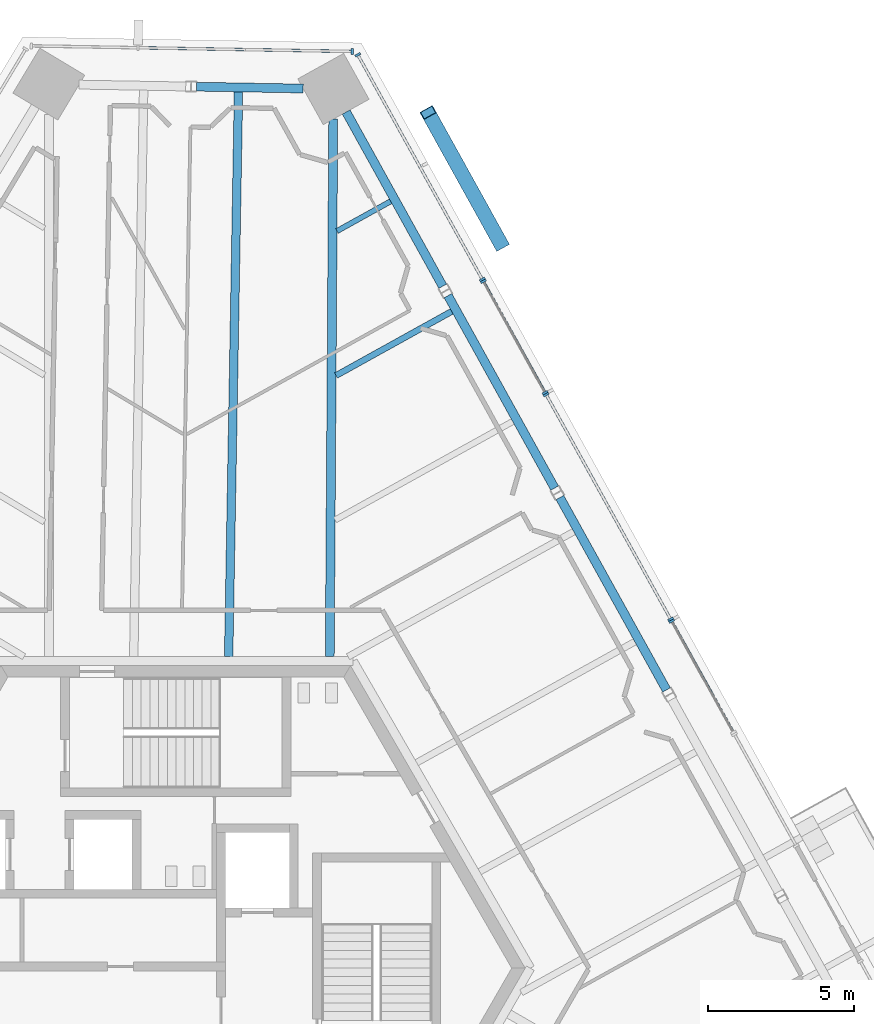
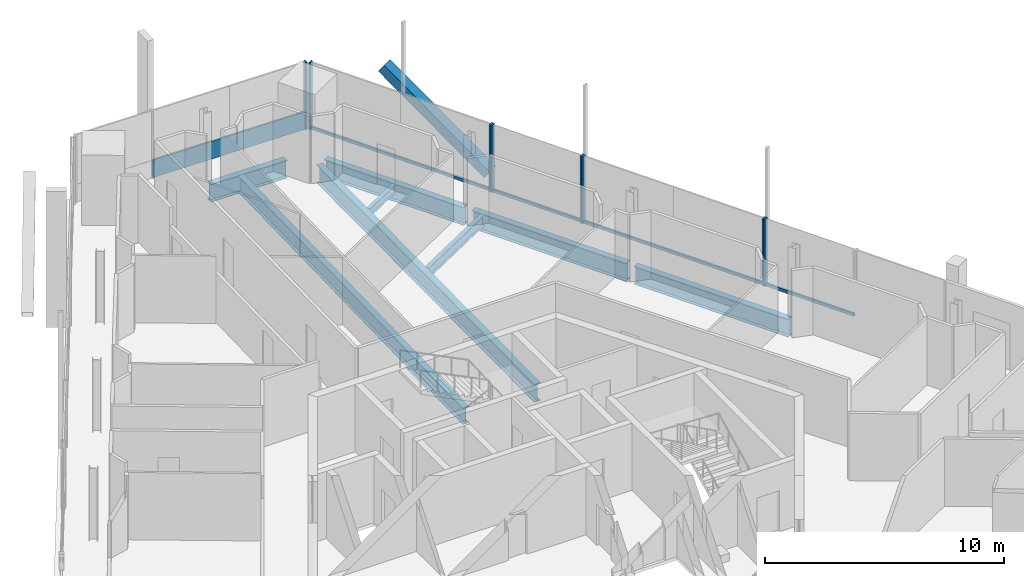
# One storey, part 9 of 22: 14 members, 8 beams, 5 elements without a shape of their own.
"""IFC4 building model written with IfcOpenShell, lengths in metres."""

from ifc_helpers import new_model, si_unit, direction, frame, origin, origin_2d, place, context, subcontext, project, spatial, rectangle, hollow_rectangle, i_section, extrude, source, transform, mapped, material, material_profile, profile_set, type_object, element, aggregate, save


model = new_model("IFC4")

# Units and contexts
model_context = context("Model", 3, precision=1e-05, world=origin(), true_north=direction((0.0, 1.0)))
body_context = subcontext(model_context, "Body", "Model", "MODEL_VIEW")
ifc_project = project(units=[si_unit("LENGTHUNIT", "METRE"), si_unit("AREAUNIT", "SQUARE_METRE"), si_unit("VOLUMEUNIT", "CUBIC_METRE"), si_unit("PLANEANGLEUNIT", "RADIAN"), si_unit("MASSUNIT", "GRAM", prefix="KILO")], contexts=[model_context])

# Site, building, storey
site_placement = place(None, origin())
site = spatial("IfcSite", under=ifc_project, at=site_placement, CompositionType="ELEMENT")
building_placement = place(site_placement, origin())
building = spatial("IfcBuilding", under=site, at=building_placement, Name="Triune Harvest Tower", CompositionType="ELEMENT")
storey_placement = place(building_placement, frame((0.0, 0.0, 208.699951171875)))
storey = spatial("IfcBuildingStorey", under=building, at=storey_placement, Name="L54", CompositionType="ELEMENT", Elevation=208.699951171875)

# Curtain wall, member
ifc_material_1 = material(Name="Aluminium bronze anodised", Category="aluminium")
curtain_wall_type_1 = type_object("IfcCurtainWallType", Name="CW-10 Balcony window wall with insulated spandrel infill", PredefinedType="NOTDEFINED", material=ifc_material_1)
curtain_wall_1_placement = place(storey_placement, origin())
curtain_wall_1 = element("IfcCurtainWall", 1, at=curtain_wall_1_placement, inside=storey, type_object=curtain_wall_type_1, Name="CW-10 B5-F1 L54 run 4002")
ifc_material_2 = material(Name="Aluminium bronze anodised", Category="aluminium")
ifc_material_profile_1 = material_profile(ifc_material_2, rectangle(XDim=0.090087890625, YDim=0.14990234375, at=origin_2d()), Name="TR-6 transom 90 x 150")
ifc_profile_set_1 = profile_set([ifc_material_profile_1], Name="Aluminium bronze anodised")
member_type_1 = type_object("IfcMemberType", Name="TR-6 transom 90 x 150", PredefinedType="USERDEFINED", material=ifc_profile_set_1)
member_1_placement = place(storey_placement, frame((10.510498046875, 23.6884765625, 0.074951171875), z_axis=(-0.484808405381, 0.874620380549, 0.0), x_axis=(-0.874620380549, -0.484808405381, 0.0)))
member_1 = element("IfcMember", 2, at=member_1_placement, type_object=member_type_1, Name="CW-10 transom B5-F1 4002.1", ObjectType="TRANSOM", PredefinedType="USERDEFINED", context=body_context, shape_type="SweptSolid", body=[
    extrude(rectangle(XDim=0.090087890625, YDim=0.14990234375, at=origin_2d()), origin(), (0.0, 0.0, 1.0), 8.74560546875),
])

# Beams
ifc_material_3 = material(Name="Steel ASTM A992 Gr 50", Category="steel")
ifc_material_profile_2 = material_profile(ifc_material_3, i_section(OverallWidth=0.3046875, OverallDepth=0.914306640625, WebThickness=0.0166015625, FlangeThickness=0.02587890625, at=origin_2d()), Name="W36x160")
ifc_profile_set_2 = profile_set([ifc_material_profile_2], Name="Steel ASTM A992 Gr 50")
beam_type_1 = type_object("IfcBeamType", Name="SB-1 Spandrel beam W36x160", PredefinedType="SPANDREL", material=ifc_profile_set_2)
shared_shape_1 = source(origin(), body_context, "Body", "SweptSolid", [
    extrude(i_section(OverallWidth=0.3046875, OverallDepth=0.914306640625, WebThickness=0.0166015625, FlangeThickness=0.02587890625, at=origin_2d()), origin(), (0.0, 0.0, 1.0), 6.841796875),
])
beam_1_placement = place(storey_placement, frame((9.16943359375, 23.421875, -0.6171875), z_axis=(-0.484833781575, 0.87460631386, 0.0), x_axis=(-0.87460631386, -0.484833781575, 0.0)))
element("IfcBeam", 3, at=beam_1_placement, inside=storey, type_object=beam_type_1, Name="beam/L54/SB6", PredefinedType="SPANDREL", context=body_context, shape_type="MappedRepresentation", body=[
    mapped(shared_shape_1, transform((0.0, 0.0, 0.0), scale=1.0)),
])
shared_shape_2 = source(origin(), body_context, "Body", "SweptSolid", [
    extrude(i_section(OverallWidth=0.3046875, OverallDepth=0.914306640625, WebThickness=0.0166015625, FlangeThickness=0.02587890625, at=origin_2d()), origin(), (0.0, 0.0, 1.0), 7.556396484375),
])
for number, where, z_axis, x_axis, name in (
    (4, (16.855712890625, 9.555419921875, -0.6171875), (-0.484806011206, 0.874621707654, 0.0), (-0.874621707654, -0.484806011206, 0.0), "beam/L54/SB4"),
    (5, (13.0126953125, 16.488525390625, -0.6171875), (-0.484830726301, 0.874608007529, 0.0), (-0.874608007529, -0.484830726301, 0.0), "beam/L54/SB5"),
):
    element("IfcBeam", number, at=place(storey_placement, frame(where, z_axis=z_axis, x_axis=x_axis)), inside=storey, type_object=beam_type_1, Name=name, PredefinedType="SPANDREL", context=body_context, shape_type="MappedRepresentation", body=[
        mapped(shared_shape_2, transform((0.0, 0.0, 0.0), scale=1.0)),
    ])
shared_shape_3 = source(origin(), body_context, "Body", "SweptSolid", [
    extrude(i_section(OverallWidth=0.3046875, OverallDepth=0.914306640625, WebThickness=0.0166015625, FlangeThickness=0.02587890625, at=origin_2d()), origin(), (0.0, 0.0, 1.0), 3.66357421875),
])
beam_2_placement = place(storey_placement, frame((4.376953125, 30.211181640625, -0.6171875), z_axis=(-0.999847573959, 0.017459348466, 0.0), x_axis=(-0.017459348466, -0.999847573959, 0.0)))
element("IfcBeam", 6, at=beam_2_placement, inside=storey, type_object=beam_type_1, Name="beam/L54/SB7", PredefinedType="SPANDREL", context=body_context, shape_type="MappedRepresentation", body=[
    mapped(shared_shape_3, transform((0.0, 0.0, 0.0), scale=1.0)),
])
ifc_material_4 = material(Name="Steel ASTM A992 Gr 50", Category="steel")
ifc_material_profile_3 = material_profile(ifc_material_4, i_section(OverallWidth=0.307373046875, OverallDepth=0.922119140625, WebThickness=0.018310546875, FlangeThickness=0.030029296875, at=origin_2d()), Name="W36x182")
ifc_profile_set_3 = profile_set([ifc_material_profile_3], Name="Steel ASTM A992 Gr 50")
beam_type_2 = type_object("IfcBeamType", Name="HG-2 Hip girder W36x182", PredefinedType="BEAM", material=ifc_profile_set_3)
shared_shape_4 = source(origin(), body_context, "Body", "SweptSolid", [
    extrude(i_section(OverallWidth=0.307373046875, OverallDepth=0.922119140625, WebThickness=0.018310546875, FlangeThickness=0.030029296875, at=origin_2d()), origin(), (0.0, 0.0, 1.0), 18.463623046875),
])
beam_3_placement = place(storey_placement, frame((5.409423828125, 29.16015625, -0.620849609375), z_axis=(-0.006518869748, -0.999978751943, 0.0), x_axis=(0.999978751943, -0.006518869748, 0.0)))
element("IfcBeam", 7, at=beam_3_placement, inside=storey, type_object=beam_type_2, Name="beam/L54/HG3", PredefinedType="BEAM", context=body_context, shape_type="MappedRepresentation", body=[
    mapped(shared_shape_4, transform((0.0, 0.0, 0.0), scale=1.0)),
])
ifc_material_5 = material(Name="Steel ASTM A992 Gr 50", Category="steel")
ifc_material_profile_4 = material_profile(ifc_material_5, i_section(OverallWidth=0.2099609375, OverallDepth=0.535888671875, WebThickness=0.010986328125, FlangeThickness=0.017333984375, at=origin_2d()), Name="W21x68")
ifc_profile_set_4 = profile_set([ifc_material_profile_4], Name="Steel ASTM A992 Gr 50")
beam_type_3 = type_object("IfcBeamType", Name="JT-2 Floor joist W21x68", PredefinedType="JOIST", material=ifc_profile_set_4)
shared_shape_5 = source(origin(), body_context, "Body", "SweptSolid", [
    extrude(i_section(OverallWidth=0.2099609375, OverallDepth=0.535888671875, WebThickness=0.010986328125, FlangeThickness=0.017333984375, at=origin_2d()), origin(), (0.0, 0.0, 1.0), 4.538818359375),
])
beam_4_placement = place(storey_placement, frame((9.475341796875, 22.555419921875, -0.427978515625), z_axis=(-0.874621193693, -0.484806938423, 0.0), x_axis=(0.484806938423, -0.874621193693, 0.0)))
element("IfcBeam", 8, at=beam_4_placement, inside=storey, type_object=beam_type_3, Name="beam/L54/JT9", PredefinedType="JOIST", context=body_context, shape_type="MappedRepresentation", body=[
    mapped(shared_shape_5, transform((0.0, 0.0, 0.0), scale=1.0)),
])
ifc_material_6 = material(Name="Steel ASTM A992 Gr 50", Category="steel")
ifc_material_profile_5 = material_profile(ifc_material_6, i_section(OverallWidth=0.180908203125, OverallDepth=0.41650390625, WebThickness=0.010986328125, FlangeThickness=0.01806640625, at=origin_2d()), Name="W16x57")
ifc_profile_set_5 = profile_set([ifc_material_profile_5], Name="Steel ASTM A992 Gr 50")
beam_type_4 = type_object("IfcBeamType", Name="JT-1 Floor joist W16x57", PredefinedType="JOIST", material=ifc_profile_set_5)
shared_shape_6 = source(origin(), body_context, "Body", "SweptSolid", [
    extrude(i_section(OverallWidth=0.180908203125, OverallDepth=0.41650390625, WebThickness=0.010986328125, FlangeThickness=0.01806640625, at=origin_2d()), origin(), (0.0, 0.0, 1.0), 2.10498046875),
])
beam_5_placement = place(storey_placement, frame((7.379150390625, 26.33740234375, -0.3681640625), z_axis=(-0.874621898411, -0.484805667067, 0.0), x_axis=(0.484805667067, -0.874621898411, 0.0)))
element("IfcBeam", 9, at=beam_5_placement, inside=storey, type_object=beam_type_4, Name="beam/L54/JT10", PredefinedType="JOIST", context=body_context, shape_type="MappedRepresentation", body=[
    mapped(shared_shape_6, transform((0.0, 0.0, 0.0), scale=1.0)),
])
ifc_material_7 = material(Name="Steel ASTM A992 Gr 50", Category="steel")
ifc_material_profile_6 = material_profile(ifc_material_7, i_section(OverallWidth=0.2919921875, OverallDepth=0.8408203125, WebThickness=0.0146484375, FlangeThickness=0.021728515625, at=origin_2d()), Name="W33x130")
ifc_profile_set_6 = profile_set([ifc_material_profile_6], Name="Steel ASTM A992 Gr 50")
beam_type_5 = type_object("IfcBeamType", Name="JT-6 Floor joist W33x130", PredefinedType="JOIST", material=ifc_profile_set_6)
shared_shape_7 = source(origin(), body_context, "Body", "SweptSolid", [
    extrude(i_section(OverallWidth=0.2919921875, OverallDepth=0.8408203125, WebThickness=0.0146484375, FlangeThickness=0.021728515625, at=origin_2d()), origin(), (0.0, 0.0, 1.0), 19.403564453125),
])
beam_6_placement = place(storey_placement, frame((2.155029296875, 30.09765625, -0.580322265625), z_axis=(-0.017451567023, -0.999847709808, 0.0), x_axis=(0.999847709808, -0.017451567023, 0.0)))
element("IfcBeam", 10, at=beam_6_placement, inside=storey, type_object=beam_type_5, Name="beam/L54/JT11", PredefinedType="JOIST", context=body_context, shape_type="MappedRepresentation", body=[
    mapped(shared_shape_7, transform((0.0, 0.0, 0.0), scale=1.0)),
])

# Member
ifc_material_8 = material(Name="Steel ASTM A572 Gr 50", Category="steel")
ifc_material_profile_7 = material_profile(ifc_material_8, hollow_rectangle(XDim=0.5, YDim=0.5, WallThickness=0.030029296875, at=origin_2d()), Name="Box 500x500x30")
ifc_profile_set_7 = profile_set([ifc_material_profile_7], Name="Steel ASTM A572 Gr 50")
member_type_2 = type_object("IfcMemberType", Name="BR-3 Brace Box 500x500x30", PredefinedType="BRACE", material=ifc_profile_set_7)
shared_shape_8 = source(origin(), body_context, "Body", "SweptSolid", [
    extrude(hollow_rectangle(XDim=0.5, YDim=0.5, WallThickness=0.030029296875, at=origin_2d()), origin(), (0.0, 0.0, 1.0), 6.302978515625),
])
member_2_placement = place(storey_placement, frame((11.17431640625, 24.863037109375, 0.0), z_axis=(-0.397957445463, 0.717903766226, 0.571177777963), x_axis=(-0.874610982048, -0.484825360395, 0.0)))
element("IfcMember", 11, at=member_2_placement, inside=storey, type_object=member_type_2, Name="brace/B5-F1/d1/9", PredefinedType="BRACE", context=body_context, shape_type="MappedRepresentation", body=[
    mapped(shared_shape_8, transform((0.0, 0.0, 0.0), scale=1.0)),
])

# Curtain wall, member
ifc_material_9 = material(Name="Aluminium bronze anodised", Category="aluminium")
curtain_wall_type_2 = type_object("IfcCurtainWallType", Name="CW-7 Tower stick curtain wall with insulated spandrel infill", PredefinedType="NOTDEFINED", material=ifc_material_9)
curtain_wall_2_placement = place(storey_placement, origin())
curtain_wall_2 = element("IfcCurtainWall", 12, at=curtain_wall_2_placement, inside=storey, type_object=curtain_wall_type_2, Name="CW-7 B5-F2 L54 run 1")
ifc_material_10 = material(Name="Aluminium bronze anodised", Category="aluminium")
ifc_material_profile_8 = material_profile(ifc_material_10, rectangle(XDim=0.199951171875, YDim=0.074951171875, at=origin_2d()), Name="MU-1 mullion 75 x 200")
ifc_profile_set_8 = profile_set([ifc_material_profile_8], Name="Aluminium bronze anodised")
member_type_3 = type_object("IfcMemberType", Name="MU-1 mullion 75 x 200", PredefinedType="MULLION", material=ifc_profile_set_8)
shared_shape_9 = source(origin(), body_context, "Body", "SweptSolid", [
    extrude(rectangle(XDim=0.199951171875, YDim=0.074951171875, at=origin_2d()), origin(), (0.0, 0.0, 1.0), 3.43994140625),
])
member_3_placement = place(storey_placement, frame((6.06298828125, 31.484130859375, 0.0), z_axis=(0.0, 0.0, 1.0), x_axis=(-0.017446318452, -0.999847801404, 0.0)))
member_3 = element("IfcMember", 13, at=member_3_placement, type_object=member_type_3, Name="CW-7 mullion B5-F2 1.1", PredefinedType="MULLION", context=body_context, shape_type="MappedRepresentation", body=[
    mapped(shared_shape_9, transform((0.0, 0.0, 0.0), scale=1.0)),
])

ifc_material_11 = material(Name="Aluminium bronze anodised", Category="aluminium")
curtain_wall_type_3 = type_object("IfcCurtainWallType", Name="CW-6 Balcony window wall", PredefinedType="NOTDEFINED", material=ifc_material_11)
curtain_wall_3_placement = place(storey_placement, origin())
curtain_wall_3 = element("IfcCurtainWall", 14, at=curtain_wall_3_placement, inside=storey, type_object=curtain_wall_type_3, Name="CW-6 B5-F1 L54 run 1002")
ifc_material_12 = material(Name="Aluminium bronze anodised", Category="aluminium")
ifc_material_profile_9 = material_profile(ifc_material_12, rectangle(XDim=0.199951171875, YDim=0.074951171875, at=origin_2d()), Name="MU-6 mullion 75 x 200")
ifc_profile_set_9 = profile_set([ifc_material_profile_9], Name="Aluminium bronze anodised")
member_type_4 = type_object("IfcMemberType", Name="MU-6 mullion 75 x 200", PredefinedType="MULLION", material=ifc_profile_set_9)
shared_shape_10 = source(origin(), body_context, "Body", "SweptSolid", [
    extrude(rectangle(XDim=0.199951171875, YDim=0.074951171875, at=origin_2d()), origin(), (0.0, 0.0, 1.0), 3.43994140625),
])
member_4_placement = place(storey_placement, frame((17.033935546875, 11.919921875, 0.0), z_axis=(0.0, 0.0, 1.0), x_axis=(-0.874611855466, -0.484823784769, 0.0)))
member_4 = element("IfcMember", 15, at=member_4_placement, type_object=member_type_4, Name="CW-6 mullion B5-F1 1002.2", PredefinedType="MULLION", context=body_context, shape_type="MappedRepresentation", body=[
    mapped(shared_shape_10, transform((0.0, 0.0, 0.0), scale=1.0)),
])

# Curtain wall, members
curtain_wall_4_placement = place(storey_placement, origin())
curtain_wall_4 = element("IfcCurtainWall", 16, at=curtain_wall_4_placement, inside=storey, type_object=curtain_wall_type_1, Name="CW-10 B5-F1 L54 run 2002")
member_5_placement = place(storey_placement, frame((16.99755859375, 11.9853515625, 0.0), z_axis=(0.0, 0.0, 1.0), x_axis=(-0.874621388938, -0.484806586189, 0.0)))
member_5 = element("IfcMember", 17, at=member_5_placement, type_object=member_type_4, Name="CW-10 mullion B5-F1 2002.1", PredefinedType="MULLION", context=body_context, shape_type="MappedRepresentation", body=[
    mapped(shared_shape_10, transform((0.0, 0.0, 0.0), scale=1.0)),
])
member_6_placement = place(storey_placement, frame((12.72119140625, 19.699951171875, 0.0), z_axis=(0.0, 0.0, 1.0), x_axis=(-0.874621388938, -0.484806586189, 0.0)))
member_6 = element("IfcMember", 18, at=member_6_placement, type_object=member_type_4, Name="CW-10 mullion B5-F1 2002.3", PredefinedType="MULLION", context=body_context, shape_type="MappedRepresentation", body=[
    mapped(shared_shape_10, transform((0.0, 0.0, 0.0), scale=1.0)),
])

curtain_wall_5_placement = place(storey_placement, origin())
curtain_wall_5 = element("IfcCurtainWall", 19, at=curtain_wall_5_placement, inside=storey, type_object=curtain_wall_type_3, Name="CW-6 B5-F1 L54 run 3002")
member_7_placement = place(storey_placement, frame((12.684814453125, 19.765625, 0.0), z_axis=(0.0, 0.0, 1.0), x_axis=(-0.874621388938, -0.484806586189, 0.0)))
member_7 = element("IfcMember", 20, at=member_7_placement, type_object=member_type_4, Name="CW-6 mullion B5-F1 3002.1", PredefinedType="MULLION", context=body_context, shape_type="MappedRepresentation", body=[
    mapped(shared_shape_10, transform((0.0, 0.0, 0.0), scale=1.0)),
])
member_8_placement = place(storey_placement, frame((10.56494140625, 23.590087890625, 0.0), z_axis=(0.0, 0.0, 1.0), x_axis=(-0.874621388938, -0.484806586189, 0.0)))
member_8 = element("IfcMember", 21, at=member_8_placement, type_object=member_type_4, Name="CW-6 mullion B5-F1 3002.2", PredefinedType="MULLION", context=body_context, shape_type="MappedRepresentation", body=[
    mapped(shared_shape_10, transform((0.0, 0.0, 0.0), scale=1.0)),
])

# Member
member_9_placement = place(storey_placement, frame((10.528564453125, 23.65576171875, 0.0), z_axis=(0.0, 0.0, 1.0), x_axis=(-0.874620407913, -0.484808356014, 0.0)))
member_9 = element("IfcMember", 22, at=member_9_placement, type_object=member_type_4, Name="CW-10 mullion B5-F1 4002.1", PredefinedType="MULLION", context=body_context, shape_type="MappedRepresentation", body=[
    mapped(shared_shape_10, transform((0.0, 0.0, 0.0), scale=1.0)),
])

member_10_placement = place(storey_placement, frame((6.252197265625, 31.370361328125, 0.0), z_axis=(0.0, 0.0, 1.0), x_axis=(-0.874620407913, -0.484808356014, 0.0)))
member_10 = element("IfcMember", 23, at=member_10_placement, type_object=member_type_4, Name="CW-10 mullion B5-F1 4002.3", PredefinedType="MULLION", context=body_context, shape_type="MappedRepresentation", body=[
    mapped(shared_shape_10, transform((0.0, 0.0, 0.0), scale=1.0)),
])

aggregate(curtain_wall_1, [member_9, member_10, member_1])

ifc_material_13 = material(Name="Aluminium bronze anodised", Category="aluminium")
ifc_material_profile_10 = material_profile(ifc_material_13, rectangle(XDim=0.090087890625, YDim=0.89990234375, at=origin_2d()), Name="TR-1 transom 90 x 900")
ifc_profile_set_10 = profile_set([ifc_material_profile_10], Name="Aluminium bronze anodised")
member_type_5 = type_object("IfcMemberType", Name="TR-1 transom 90 x 900", PredefinedType="USERDEFINED", material=ifc_profile_set_10)
shared_shape_11 = source(origin(), body_context, "Body", "SweptSolid", [
    extrude(rectangle(XDim=0.090087890625, YDim=0.89990234375, at=origin_2d()), origin(), (0.0, 0.0, 1.0), 7.287841796875),
])
member_11_placement = place(storey_placement, frame((6.025634765625, 31.48486328125, 0.449951171875), z_axis=(-0.999848258084, 0.017420126456, 0.0), x_axis=(-0.017420126456, -0.999848258084, 0.0)))
member_11 = element("IfcMember", 24, at=member_11_placement, type_object=member_type_5, Name="CW-7 transom B5-F2 1.1", ObjectType="TRANSOM", PredefinedType="USERDEFINED", context=body_context, shape_type="MappedRepresentation", body=[
    mapped(shared_shape_11, transform((0.0, 0.0, 0.0), scale=1.0)),
])

aggregate(curtain_wall_2, [member_3, member_11])

shared_shape_12 = source(origin(), body_context, "Body", "SweptSolid", [
    extrude(rectangle(XDim=0.090087890625, YDim=0.14990234375, at=origin_2d()), origin(), (0.0, 0.0, 1.0), 4.297607421875),
])
member_12_placement = place(storey_placement, frame((19.1357421875, 8.128173828125, 0.074951171875), z_axis=(-0.484846897398, 0.874599043039, 0.0), x_axis=(-0.874599043039, -0.484846897398, 0.0)))
member_12 = element("IfcMember", 25, at=member_12_placement, type_object=member_type_1, Name="CW-6 transom B5-F1 1002.1", ObjectType="TRANSOM", PredefinedType="USERDEFINED", context=body_context, shape_type="MappedRepresentation", body=[
    mapped(shared_shape_12, transform((0.0, 0.0, 0.0), scale=1.0)),
])

aggregate(curtain_wall_3, [member_4, member_12])

shared_shape_13 = source(origin(), body_context, "Body", "SweptSolid", [
    extrude(rectangle(XDim=0.090087890625, YDim=0.14990234375, at=origin_2d()), origin(), (0.0, 0.0, 1.0), 8.745361328125),
])
member_13_placement = place(storey_placement, frame((16.979248046875, 12.018310546875, 0.074951171875), z_axis=(-0.484798887552, 0.874625656283, 0.0), x_axis=(-0.874625656283, -0.484798887552, 0.0)))
member_13 = element("IfcMember", 26, at=member_13_placement, type_object=member_type_1, Name="CW-10 transom B5-F1 2002.1", ObjectType="TRANSOM", PredefinedType="USERDEFINED", context=body_context, shape_type="MappedRepresentation", body=[
    mapped(shared_shape_13, transform((0.0, 0.0, 0.0), scale=1.0)),
])

aggregate(curtain_wall_4, [member_5, member_6, member_13])

shared_shape_14 = source(origin(), body_context, "Body", "SweptSolid", [
    extrude(rectangle(XDim=0.090087890625, YDim=0.14990234375, at=origin_2d()), origin(), (0.0, 0.0, 1.0), 4.2978515625),
])
member_14_placement = place(storey_placement, frame((12.666748046875, 19.79833984375, 0.074951171875), z_axis=(-0.48477935574, 0.874636482345, 0.0), x_axis=(-0.874636482345, -0.48477935574, 0.0)))
member_14 = element("IfcMember", 27, at=member_14_placement, type_object=member_type_1, Name="CW-6 transom B5-F1 3002.1", ObjectType="TRANSOM", PredefinedType="USERDEFINED", context=body_context, shape_type="MappedRepresentation", body=[
    mapped(shared_shape_14, transform((0.0, 0.0, 0.0), scale=1.0)),
])

aggregate(curtain_wall_5, [member_7, member_8, member_14])

save(model, "model.ifc")
